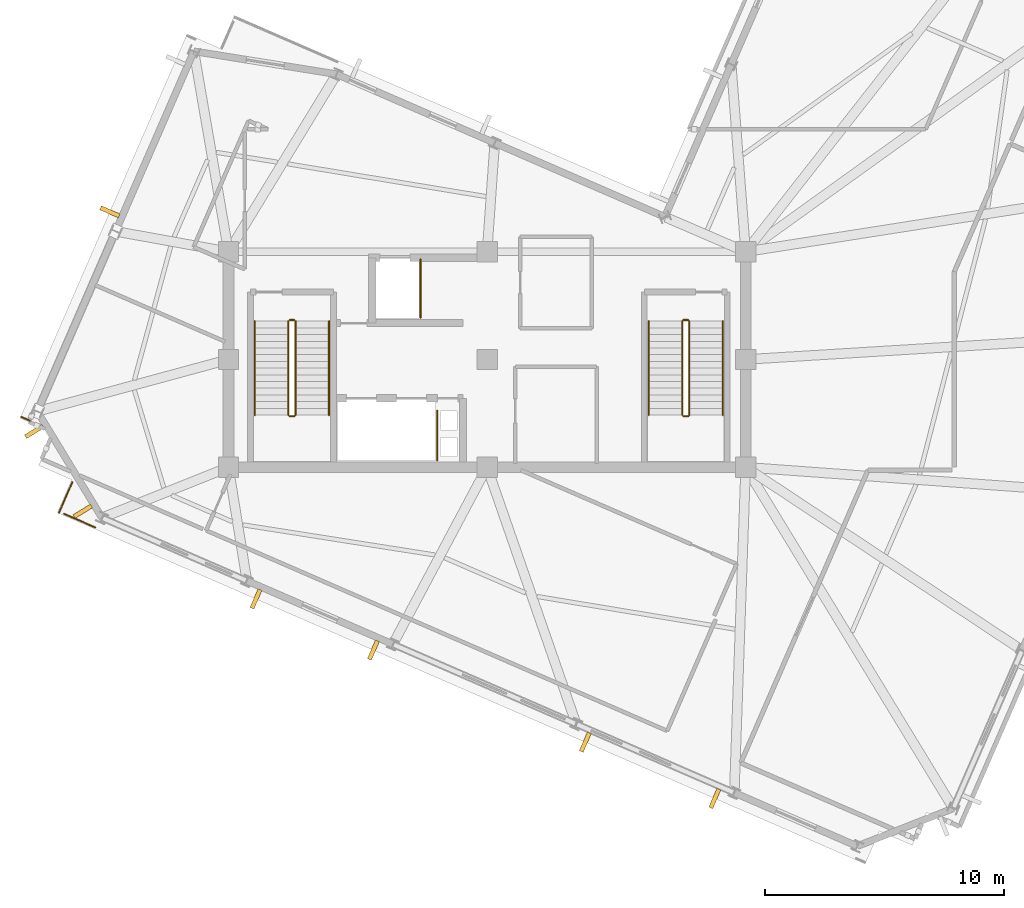
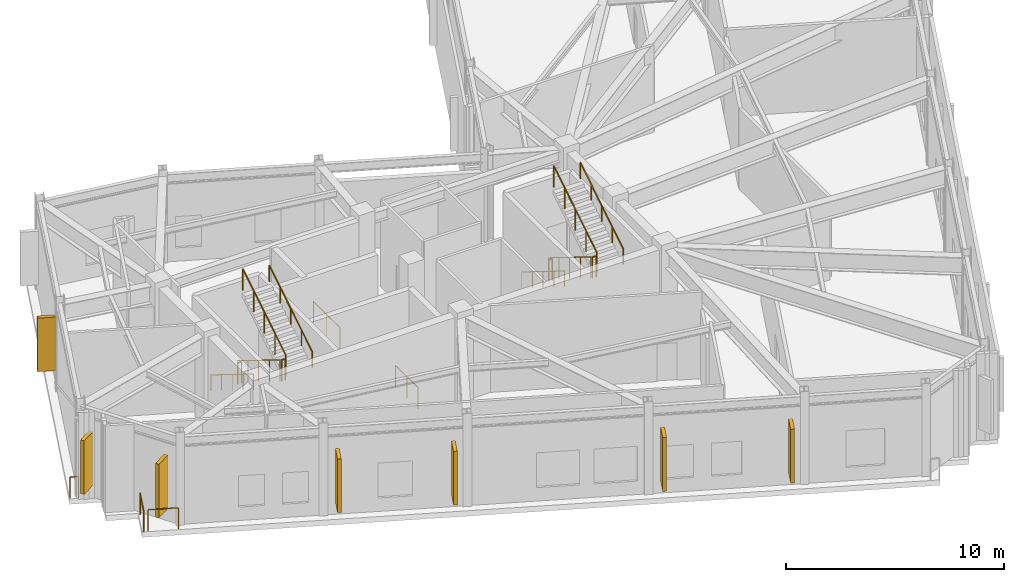
# One storey, part 9 of 12: 17 railings, 7 shading devices.
"""IFC4 building model written with IfcOpenShell, lengths in metres."""

from ifc_helpers import new_model, si_unit, direction, frame, origin, origin_2d, place, context, subcontext, project, spatial, rectangle, circle, extrude, material, layer, layer_set, type_object, element, save


model = new_model("IFC4")

# Units and contexts
model_context = context("Model", 3, precision=1e-05, world=origin(), true_north=direction((0.0, 1.0)))
body_context = subcontext(model_context, "Body", "Model", "MODEL_VIEW")
ifc_project = project(units=[si_unit("LENGTHUNIT", "METRE"), si_unit("AREAUNIT", "SQUARE_METRE"), si_unit("VOLUMEUNIT", "CUBIC_METRE"), si_unit("PLANEANGLEUNIT", "RADIAN"), si_unit("MASSUNIT", "GRAM", prefix="KILO")], contexts=[model_context])

# Site, building, storey
site_placement = place(None, origin())
site = spatial("IfcSite", under=ifc_project, at=site_placement, CompositionType="ELEMENT")
building_placement = place(site_placement, origin())
building = spatial("IfcBuilding", under=site, at=building_placement, Name="Gaonmaruhae Medical Tower", CompositionType="ELEMENT")
storey_placement = place(building_placement, frame((0.0, 0.0, 342.60009765625)))
storey = spatial("IfcBuildingStorey", under=building, at=storey_placement, Name="L82", CompositionType="ELEMENT", Elevation=342.60009765625)

# Railings
ifc_material_1 = material(Name="Stainless steel 316L and laminated safety glass", Category="steel")
ifc_layer = layer(ifc_material_1, 0.080078125)
ifc_layer_set = layer_set([ifc_layer], Name="Stainless steel 316L and laminated safety glass")
railing_type_1 = type_object("IfcRailingType", Name="GD-120 Outdoor Terrace Safety Glass & Steel Balustrade", PredefinedType="BALUSTRADE", material=ifc_layer_set)
railing_1_placement = place(storey_placement, frame((5.33642578125, 9.90478515625, 0.0)))
element("IfcRailing", 1, at=railing_1_placement, inside=storey, type_object=railing_type_1, Name="L82 Perimeter Slab Edge Safety Balustrade 05", PredefinedType="BALUSTRADE", context=body_context, shape_type="SweptSolid", body=[
    extrude(circle(Radius=0.02392578125, at=origin_2d()), frame((0.0, 0.0, 1.17578125), z_axis=(0.916882439796, -0.399157351922, 0.0), x_axis=(0.399157351922, 0.916882439796, 0.0)), (0.0, 0.0, 1.0), 0.393310546875),
    extrude(circle(Radius=0.02099609375, at=origin_2d()), origin(), (0.0, 0.0, 1.0), 1.15185546875),
    extrude(circle(Radius=0.02099609375, at=origin_2d()), frame((0.360595703125, -0.156982421875, 0.0)), (0.0, 0.0, 1.0), 1.15185546875),
])
railing_2_placement = place(storey_placement, frame((7.47265625, 7.169189453125, 0.0)))
element("IfcRailing", 2, at=railing_2_placement, inside=storey, type_object=railing_type_1, Name="L82 Perimeter Slab Edge Safety Balustrade 06", PredefinedType="BALUSTRADE", context=body_context, shape_type="SweptSolid", body=[
    extrude(circle(Radius=0.02392578125, at=origin_2d()), frame((0.0, 0.0, 1.17578125), z_axis=(-0.398694070207, -0.917083986547, 0.0), x_axis=(0.917083986547, -0.398694070207, 0.0)), (0.0, 0.0, 1.0), 1.39306640625),
    extrude(circle(Radius=0.02099609375, at=origin_2d()), origin(), (0.0, 0.0, 1.0), 1.15185546875),
    extrude(circle(Radius=0.02099609375, at=origin_2d()), frame((-0.555419921875, -1.277587890625, 0.0)), (0.0, 0.0, 1.0), 1.15185546875),
])
railing_3_placement = place(storey_placement, frame((7.12890625, 5.85400390625, 0.0)))
element("IfcRailing", 3, at=railing_3_placement, inside=storey, type_object=railing_type_1, Name="L82 Perimeter Slab Edge Safety Balustrade 07", PredefinedType="BALUSTRADE", context=body_context, shape_type="SweptSolid", body=[
    extrude(circle(Radius=0.02392578125, at=origin_2d()), frame((0.0, 0.0, 1.17578125), z_axis=(0.917100195182, -0.398656784713, 0.0), x_axis=(0.398656784713, 0.917100195182, 0.0)), (0.0, 0.0, 1.0), 1.41650390625),
    extrude(circle(Radius=0.02099609375, at=origin_2d()), origin(), (0.0, 0.0, 1.0), 1.15185546875),
    extrude(circle(Radius=0.02099609375, at=origin_2d()), frame((1.299072265625, -0.564697265625, 0.0)), (0.0, 0.0, 1.0), 1.15185546875),
])
ifc_material_2 = material(Name="Stainless steel 304 handrail", Category="steel")
railing_type_2 = type_object("IfcRailingType", Name="HR-092 Continuous Stainless Steel Stair Handrail", PredefinedType="HANDRAIL", material=ifc_material_2)
railing_4_placement = place(storey_placement, frame((15.10009765625, 13.89990234375, 0.17333984375)))
element("IfcRailing", 4, at=railing_4_placement, inside=storey, type_object=railing_type_2, Name="L82 ST-01 stair handrail 1", PredefinedType="HANDRAIL", context=body_context, shape_type="SweptSolid", body=[
    extrude(circle(Radius=0.02392578125, at=origin_2d()), frame((0.0, 0.0, 0.8759765625), z_axis=(0.0, -0.850275303828, 0.526338206574), x_axis=(1.0, 0.0, 0.0)), (0.0, 0.0, 1.0), 4.610107421875),
    extrude(circle(Radius=0.02099609375, at=origin_2d()), origin(), (0.0, 0.0, 1.0), 0.851806640625),
    extrude(circle(Radius=0.02099609375, at=origin_2d()), frame((0.0, -0.97998046875, 0.606689453125)), (0.0, 0.0, 1.0), 0.851806640625),
    extrude(circle(Radius=0.02099609375, at=origin_2d()), frame((0.0, -1.9599609375, 1.21337890625)), (0.0, 0.0, 1.0), 0.851806640625),
    extrude(circle(Radius=0.02099609375, at=origin_2d()), frame((0.0, -2.93994140625, 1.81982421875)), (0.0, 0.0, 1.0), 0.851806640625),
    extrude(circle(Radius=0.02099609375, at=origin_2d()), frame((0.0, -3.919921875, 2.426513671875)), (0.0, 0.0, 1.0), 0.851806640625),
])
railing_5_placement = place(storey_placement, frame((18.199951171875, 9.97998046875, 2.773193359375)))
element("IfcRailing", 5, at=railing_5_placement, inside=storey, type_object=railing_type_2, Name="L82 ST-01 stair handrail 2", PredefinedType="HANDRAIL", context=body_context, shape_type="SweptSolid", body=[
    extrude(circle(Radius=0.02392578125, at=origin_2d()), frame((0.0, 0.0, 0.8759765625), z_axis=(0.0, 0.850251603719, 0.526376491091), x_axis=(-1.0, 0.0, 0.0)), (0.0, 0.0, 1.0), 4.6103515625),
    extrude(circle(Radius=0.02099609375, at=origin_2d()), origin(), (0.0, 0.0, 1.0), 0.851806640625),
    extrude(circle(Radius=0.02099609375, at=origin_2d()), frame((0.0, 0.97998046875, 0.606689453125)), (0.0, 0.0, 1.0), 0.851806640625),
    extrude(circle(Radius=0.02099609375, at=origin_2d()), frame((0.0, 1.9599609375, 1.21337890625)), (0.0, 0.0, 1.0), 0.851806640625),
    extrude(circle(Radius=0.02099609375, at=origin_2d()), frame((0.0, 2.93994140625, 1.820068359375)), (0.0, 0.0, 1.0), 0.851806640625),
    extrude(circle(Radius=0.02099609375, at=origin_2d()), frame((0.0, 3.919921875, 2.4267578125)), (0.0, 0.0, 1.0), 0.851806640625),
])
railing_6_placement = place(storey_placement, frame((31.550048828125, 13.89990234375, 0.17333984375)))
element("IfcRailing", 6, at=railing_6_placement, inside=storey, type_object=railing_type_2, Name="L82 ST-02 stair handrail 1", PredefinedType="HANDRAIL", context=body_context, shape_type="SweptSolid", body=[
    extrude(circle(Radius=0.02392578125, at=origin_2d()), frame((0.0, 0.0, 0.8759765625), z_axis=(0.0, -0.850275303828, 0.526338206574), x_axis=(1.0, 0.0, 0.0)), (0.0, 0.0, 1.0), 4.610107421875),
    extrude(circle(Radius=0.02099609375, at=origin_2d()), origin(), (0.0, 0.0, 1.0), 0.851806640625),
    extrude(circle(Radius=0.02099609375, at=origin_2d()), frame((0.0, -0.97998046875, 0.606689453125)), (0.0, 0.0, 1.0), 0.851806640625),
    extrude(circle(Radius=0.02099609375, at=origin_2d()), frame((0.0, -1.9599609375, 1.21337890625)), (0.0, 0.0, 1.0), 0.851806640625),
    extrude(circle(Radius=0.02099609375, at=origin_2d()), frame((0.0, -2.93994140625, 1.81982421875)), (0.0, 0.0, 1.0), 0.851806640625),
    extrude(circle(Radius=0.02099609375, at=origin_2d()), frame((0.0, -3.919921875, 2.426513671875)), (0.0, 0.0, 1.0), 0.851806640625),
])
railing_7_placement = place(storey_placement, frame((34.64990234375, 9.97998046875, 2.773193359375)))
element("IfcRailing", 7, at=railing_7_placement, inside=storey, type_object=railing_type_2, Name="L82 ST-02 stair handrail 2", PredefinedType="HANDRAIL", context=body_context, shape_type="SweptSolid", body=[
    extrude(circle(Radius=0.02392578125, at=origin_2d()), frame((0.0, 0.0, 0.8759765625), z_axis=(0.0, 0.850251603719, 0.526376491091), x_axis=(-1.0, 0.0, 0.0)), (0.0, 0.0, 1.0), 4.6103515625),
    extrude(circle(Radius=0.02099609375, at=origin_2d()), origin(), (0.0, 0.0, 1.0), 0.851806640625),
    extrude(circle(Radius=0.02099609375, at=origin_2d()), frame((0.0, 0.97998046875, 0.606689453125)), (0.0, 0.0, 1.0), 0.851806640625),
    extrude(circle(Radius=0.02099609375, at=origin_2d()), frame((0.0, 1.9599609375, 1.21337890625)), (0.0, 0.0, 1.0), 0.851806640625),
    extrude(circle(Radius=0.02099609375, at=origin_2d()), frame((0.0, 2.93994140625, 1.820068359375)), (0.0, 0.0, 1.0), 0.851806640625),
    extrude(circle(Radius=0.02099609375, at=origin_2d()), frame((0.0, 3.919921875, 2.4267578125)), (0.0, 0.0, 1.0), 0.851806640625),
])

# Shading devices
ifc_material_3 = material(Name="Pigmented coral precast concrete C45/55", Category="concrete")
shading_device_type = type_object("IfcShadingDeviceType", Name="SD-FIN1 Tower Vertical Coral Precast Shading Fin", PredefinedType="USERDEFINED", material=ifc_material_3)
for number, where, z_axis, x_axis, name in (
    (8, (9.04296875, 18.466796875, 0.66748046875), (0.0, 0.0, 1.0), (0.398749068925, 0.917060074385, 0.0), "L82 Vertical Coral Precast Shading Fin N01"),
    (9, (7.91162109375, 5.960205078125, 0.66748046875), (0.0, 0.0, 1.0), (-0.519250650088, 0.854621999707, 0.0), "L82 Vertical Coral Precast Shading Fin N03"),
    (10, (5.885498046875, 9.295166015625, 0.66748046875), (0.0, 0.0, 1.0), (-0.519250650088, 0.854621999707, 0.0), "L82 Vertical Coral Precast Shading Fin N03B"),
    (11, (20.052734375, 0.163818359375, 0.66748046875), (0.0, 0.0, 1.0), (-0.91706703373, 0.398733063147, 0.0), "L82 Vertical Coral Precast Shading Fin W02"),
    (12, (15.146484375, 2.296875, 0.66748046875), (0.0, 0.0, 1.0), (-0.91706703373, 0.398733063147, 0.0), "L82 Vertical Coral Precast Shading Fin W02B"),
    (13, (34.31298828125, -6.036865234375, 0.66748046875), (0.0, 0.0, 1.0), (-0.917060074385, 0.398749068925, 0.0), "L82 Vertical Coral Precast Shading Fin W04"),
    (14, (28.90234375, -3.684326171875, 0.66748046875), (0.0, 0.0, 1.0), (-0.917060074385, 0.398749068925, 0.0), "L82 Vertical Coral Precast Shading Fin W04B"),
):
    element("IfcShadingDevice", number, at=place(storey_placement, frame(where, z_axis=z_axis, x_axis=x_axis)), inside=storey, type_object=shading_device_type, Name=name, ObjectType="FIN", PredefinedType="USERDEFINED", context=body_context, shape_type="SweptSolid", body=[
        extrude(rectangle(XDim=0.179931640625, YDim=0.85009765625, at=origin_2d()), origin(), (0.0, 0.0, 1.0), 3.0),
    ])

# Railings
ifc_material_4 = material(Name="Stainless steel 304 balustrade", Category="steel")
railing_type_3 = type_object("IfcRailingType", Name="SG-112 Stair Well & Ramp Void Safety Balustrade", PredefinedType="BALUSTRADE", material=ifc_material_4)
railing_8_placement = place(storey_placement, frame((16.5, 13.89990234375, 0.17333984375)))
element("IfcRailing", 15, at=railing_8_placement, inside=storey, type_object=railing_type_3, Name="L82 ST-01 stair guard 1", PredefinedType="BALUSTRADE", context=body_context, shape_type="SweptSolid", body=[
    extrude(circle(Radius=0.02392578125, at=origin_2d()), frame((0.0, 0.0, 1.17578125), z_axis=(0.0, -0.850275303828, 0.526338206574), x_axis=(1.0, 0.0, 0.0)), (0.0, 0.0, 1.0), 4.610107421875),
    extrude(circle(Radius=0.02099609375, at=origin_2d()), origin(), (0.0, 0.0, 1.0), 1.15185546875),
    extrude(circle(Radius=0.02099609375, at=origin_2d()), frame((0.0, -0.97998046875, 0.606689453125)), (0.0, 0.0, 1.0), 1.15185546875),
    extrude(circle(Radius=0.02099609375, at=origin_2d()), frame((0.0, -1.9599609375, 1.21337890625)), (0.0, 0.0, 1.0), 1.15185546875),
    extrude(circle(Radius=0.02099609375, at=origin_2d()), frame((0.0, -2.93994140625, 1.81982421875)), (0.0, 0.0, 1.0), 1.15185546875),
    extrude(circle(Radius=0.02099609375, at=origin_2d()), frame((0.0, -3.919921875, 2.426513671875)), (0.0, 0.0, 1.0), 1.15185546875),
])
railing_9_placement = place(storey_placement, frame((16.550048828125, 9.929931640625, 2.599853515625)))
element("IfcRailing", 16, at=railing_9_placement, inside=storey, type_object=railing_type_3, Name="L82 ST-01 stair guard 2", PredefinedType="BALUSTRADE", context=body_context, shape_type="SweptSolid", body=[
    extrude(circle(Radius=0.02392578125, at=origin_2d()), frame((0.0, 0.0, 1.17578125), z_axis=(1.0, 0.0, 0.0), x_axis=(0.0, 1.0, 0.0)), (0.0, 0.0, 1.0), 0.199951171875),
    extrude(circle(Radius=0.02099609375, at=origin_2d()), origin(), (0.0, 0.0, 1.0), 1.15185546875),
    extrude(circle(Radius=0.02099609375, at=origin_2d()), frame((0.199951171875, 0.0, 0.0)), (0.0, 0.0, 1.0), 1.15185546875),
])
railing_10_placement = place(storey_placement, frame((16.800048828125, 9.97998046875, 2.773193359375)))
element("IfcRailing", 17, at=railing_10_placement, inside=storey, type_object=railing_type_3, Name="L82 ST-01 stair guard 3", PredefinedType="BALUSTRADE", context=body_context, shape_type="SweptSolid", body=[
    extrude(circle(Radius=0.02392578125, at=origin_2d()), frame((0.0, 0.0, 1.17578125), z_axis=(0.0, 0.850251603719, 0.526376491091), x_axis=(-1.0, 0.0, 0.0)), (0.0, 0.0, 1.0), 4.6103515625),
    extrude(circle(Radius=0.02099609375, at=origin_2d()), origin(), (0.0, 0.0, 1.0), 1.15185546875),
    extrude(circle(Radius=0.02099609375, at=origin_2d()), frame((0.0, 0.97998046875, 0.606689453125)), (0.0, 0.0, 1.0), 1.15185546875),
    extrude(circle(Radius=0.02099609375, at=origin_2d()), frame((0.0, 1.9599609375, 1.21337890625)), (0.0, 0.0, 1.0), 1.15185546875),
    extrude(circle(Radius=0.02099609375, at=origin_2d()), frame((0.0, 2.93994140625, 1.820068359375)), (0.0, 0.0, 1.0), 1.15185546875),
    extrude(circle(Radius=0.02099609375, at=origin_2d()), frame((0.0, 3.919921875, 2.4267578125)), (0.0, 0.0, 1.0), 1.15185546875),
])
railing_11_placement = place(storey_placement, frame((16.550048828125, 13.949951171875, 0.0)))
element("IfcRailing", 18, at=railing_11_placement, inside=storey, type_object=railing_type_3, Name="L82 ST-01 stair guard 4", PredefinedType="BALUSTRADE", context=body_context, shape_type="SweptSolid", body=[
    extrude(circle(Radius=0.02392578125, at=origin_2d()), frame((0.0, 0.0, 1.17578125), z_axis=(1.0, 0.0, 0.0), x_axis=(0.0, 1.0, 0.0)), (0.0, 0.0, 1.0), 0.199951171875),
    extrude(circle(Radius=0.02099609375, at=origin_2d()), origin(), (0.0, 0.0, 1.0), 1.15185546875),
    extrude(circle(Radius=0.02099609375, at=origin_2d()), frame((0.199951171875, 0.0, 0.0)), (0.0, 0.0, 1.0), 1.15185546875),
])
railing_12_placement = place(storey_placement, frame((32.949951171875, 13.89990234375, 0.17333984375)))
element("IfcRailing", 19, at=railing_12_placement, inside=storey, type_object=railing_type_3, Name="L82 ST-02 stair guard 1", PredefinedType="BALUSTRADE", context=body_context, shape_type="SweptSolid", body=[
    extrude(circle(Radius=0.02392578125, at=origin_2d()), frame((0.0, 0.0, 1.17578125), z_axis=(0.0, -0.850275303828, 0.526338206574), x_axis=(1.0, 0.0, 0.0)), (0.0, 0.0, 1.0), 4.610107421875),
    extrude(circle(Radius=0.02099609375, at=origin_2d()), origin(), (0.0, 0.0, 1.0), 1.15185546875),
    extrude(circle(Radius=0.02099609375, at=origin_2d()), frame((0.0, -0.97998046875, 0.606689453125)), (0.0, 0.0, 1.0), 1.15185546875),
    extrude(circle(Radius=0.02099609375, at=origin_2d()), frame((0.0, -1.9599609375, 1.21337890625)), (0.0, 0.0, 1.0), 1.15185546875),
    extrude(circle(Radius=0.02099609375, at=origin_2d()), frame((0.0, -2.93994140625, 1.81982421875)), (0.0, 0.0, 1.0), 1.15185546875),
    extrude(circle(Radius=0.02099609375, at=origin_2d()), frame((0.0, -3.919921875, 2.426513671875)), (0.0, 0.0, 1.0), 1.15185546875),
])
railing_13_placement = place(storey_placement, frame((33.0, 9.929931640625, 2.599853515625)))
element("IfcRailing", 20, at=railing_13_placement, inside=storey, type_object=railing_type_3, Name="L82 ST-02 stair guard 2", PredefinedType="BALUSTRADE", context=body_context, shape_type="SweptSolid", body=[
    extrude(circle(Radius=0.02392578125, at=origin_2d()), frame((0.0, 0.0, 1.17578125), z_axis=(1.0, 0.0, 0.0), x_axis=(0.0, 1.0, 0.0)), (0.0, 0.0, 1.0), 0.199951171875),
    extrude(circle(Radius=0.02099609375, at=origin_2d()), origin(), (0.0, 0.0, 1.0), 1.15185546875),
    extrude(circle(Radius=0.02099609375, at=origin_2d()), frame((0.199951171875, 0.0, 0.0)), (0.0, 0.0, 1.0), 1.15185546875),
])
railing_14_placement = place(storey_placement, frame((33.25, 9.97998046875, 2.773193359375)))
element("IfcRailing", 21, at=railing_14_placement, inside=storey, type_object=railing_type_3, Name="L82 ST-02 stair guard 3", PredefinedType="BALUSTRADE", context=body_context, shape_type="SweptSolid", body=[
    extrude(circle(Radius=0.02392578125, at=origin_2d()), frame((0.0, 0.0, 1.17578125), z_axis=(0.0, 0.850251603719, 0.526376491091), x_axis=(-1.0, 0.0, 0.0)), (0.0, 0.0, 1.0), 4.6103515625),
    extrude(circle(Radius=0.02099609375, at=origin_2d()), origin(), (0.0, 0.0, 1.0), 1.15185546875),
    extrude(circle(Radius=0.02099609375, at=origin_2d()), frame((0.0, 0.97998046875, 0.606689453125)), (0.0, 0.0, 1.0), 1.15185546875),
    extrude(circle(Radius=0.02099609375, at=origin_2d()), frame((0.0, 1.9599609375, 1.21337890625)), (0.0, 0.0, 1.0), 1.15185546875),
    extrude(circle(Radius=0.02099609375, at=origin_2d()), frame((0.0, 2.93994140625, 1.820068359375)), (0.0, 0.0, 1.0), 1.15185546875),
    extrude(circle(Radius=0.02099609375, at=origin_2d()), frame((0.0, 3.919921875, 2.4267578125)), (0.0, 0.0, 1.0), 1.15185546875),
])
railing_15_placement = place(storey_placement, frame((33.0, 13.949951171875, 0.0)))
element("IfcRailing", 22, at=railing_15_placement, inside=storey, type_object=railing_type_3, Name="L82 ST-02 stair guard 4", PredefinedType="BALUSTRADE", context=body_context, shape_type="SweptSolid", body=[
    extrude(circle(Radius=0.02392578125, at=origin_2d()), frame((0.0, 0.0, 1.17578125), z_axis=(1.0, 0.0, 0.0), x_axis=(0.0, 1.0, 0.0)), (0.0, 0.0, 1.0), 0.199951171875),
    extrude(circle(Radius=0.02099609375, at=origin_2d()), origin(), (0.0, 0.0, 1.0), 1.15185546875),
    extrude(circle(Radius=0.02099609375, at=origin_2d()), frame((0.199951171875, 0.0, 0.0)), (0.0, 0.0, 1.0), 1.15185546875),
])
railing_16_placement = place(storey_placement, frame((22.719970703125, 10.159912109375, 0.0)))
element("IfcRailing", 23, at=railing_16_placement, inside=storey, type_object=railing_type_3, Name="L82 Shaft Edge Safety Guard 09", PredefinedType="BALUSTRADE", context=body_context, shape_type="SweptSolid", body=[
    extrude(circle(Radius=0.02392578125, at=origin_2d()), frame((0.0, 0.0, 1.17578125), z_axis=(0.0, -1.0, 0.0), x_axis=(1.0, 0.0, 0.0)), (0.0, 0.0, 1.0), 2.06494140625),
    extrude(circle(Radius=0.02099609375, at=origin_2d()), origin(), (0.0, 0.0, 1.0), 1.15185546875),
    extrude(circle(Radius=0.02099609375, at=origin_2d()), frame((0.0, -1.032470703125, 0.0)), (0.0, 0.0, 1.0), 1.15185546875),
    extrude(circle(Radius=0.02099609375, at=origin_2d()), frame((0.0, -2.06494140625, 0.0)), (0.0, 0.0, 1.0), 1.15185546875),
])
railing_17_placement = place(storey_placement, frame((22.02001953125, 16.485107421875, 0.0)))
element("IfcRailing", 24, at=railing_17_placement, inside=storey, type_object=railing_type_3, Name="L82 Shaft Edge Safety Guard 10", PredefinedType="BALUSTRADE", context=body_context, shape_type="SweptSolid", body=[
    extrude(circle(Radius=0.02392578125, at=origin_2d()), frame((0.0, 0.0, 1.17578125), z_axis=(0.0, -1.0, 0.0), x_axis=(1.0, 0.0, 0.0)), (0.0, 0.0, 1.0), 2.440185546875),
    extrude(circle(Radius=0.02099609375, at=origin_2d()), origin(), (0.0, 0.0, 1.0), 1.15185546875),
    extrude(circle(Radius=0.02099609375, at=origin_2d()), frame((0.0, -1.22021484375, 0.0)), (0.0, 0.0, 1.0), 1.15185546875),
    extrude(circle(Radius=0.02099609375, at=origin_2d()), frame((0.0, -2.440185546875, 0.0)), (0.0, 0.0, 1.0), 1.15185546875),
])

save(model, "model.ifc")
